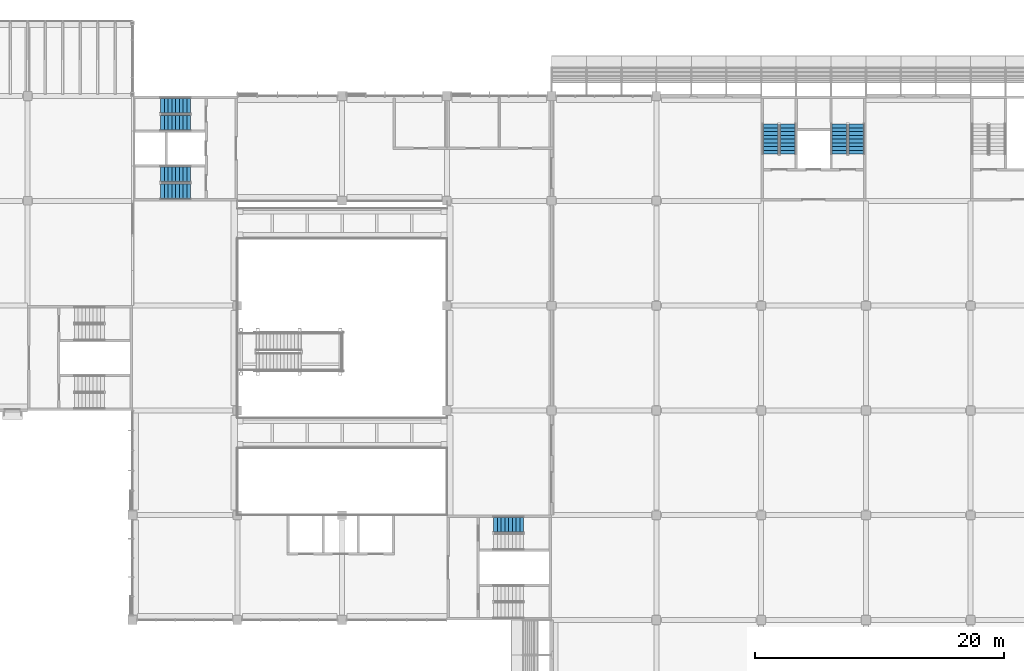
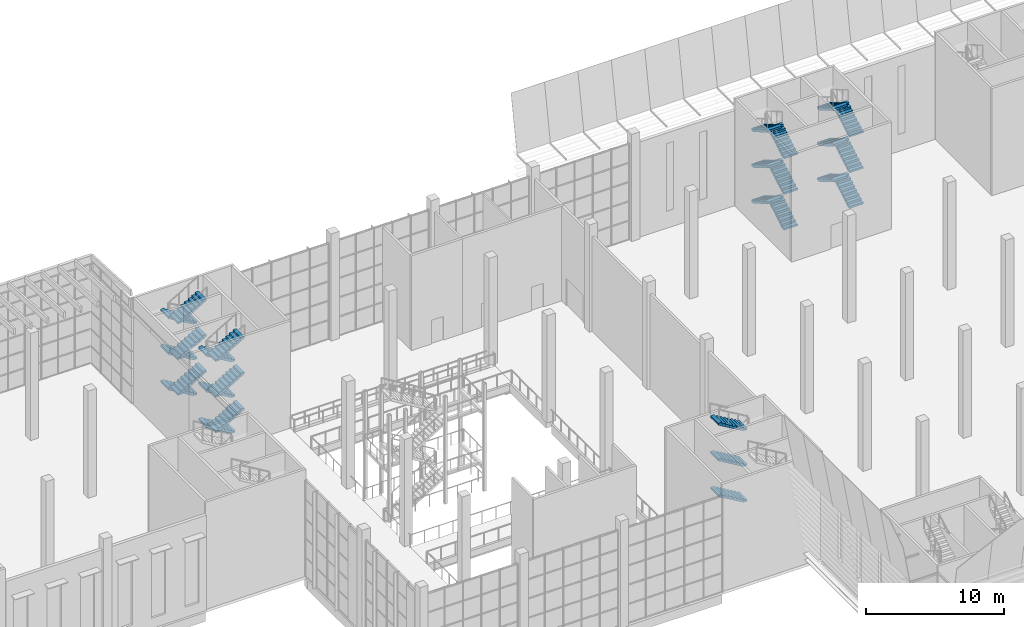
# One storey, part 57 of 114: 27 stair flights, 5 elements without a shape of their own.
"""IFC4 building model written with IfcOpenShell, lengths in metres."""

from ifc_helpers import new_model, si_unit, direction, frame, origin, place, context, subcontext, project, spatial, polyline, outline, extrude, material, type_object, element, aggregate, save


model = new_model("IFC4")

# Units and contexts
model_context = context("Model", 3, precision=1e-05, world=origin(), true_north=direction((0.0, 1.0)))
body_context = subcontext(model_context, "Body", "Model", "MODEL_VIEW")
ifc_project = project(units=[si_unit("LENGTHUNIT", "METRE"), si_unit("AREAUNIT", "SQUARE_METRE"), si_unit("VOLUMEUNIT", "CUBIC_METRE"), si_unit("PLANEANGLEUNIT", "RADIAN"), si_unit("MASSUNIT", "GRAM", prefix="KILO")], contexts=[model_context])

# Site, building, storey
site_placement = place(None, origin())
site = spatial("IfcSite", under=ifc_project, at=site_placement, CompositionType="ELEMENT")
building_placement = place(site_placement, origin())
building = spatial("IfcBuilding", under=site, at=building_placement, Name="Almond Square Museum", CompositionType="ELEMENT")
storey_placement = place(building_placement, frame((0.0, 0.0, 10.5)))
storey = spatial("IfcBuildingStorey", under=building, at=storey_placement, Name="L02", CompositionType="ELEMENT", Elevation=10.5)

# Stair, stair flights
ifc_material_1 = material(Name="Concrete C40/50", Category="concrete")
stair_type = type_object("IfcStairType", Name="Exit stair 54 risers of 176 mm", PredefinedType="HALF_TURN_STAIR", material=ifc_material_1)
stair_1_placement = place(storey_placement, origin())
stair_1 = element("IfcStair", 1, at=stair_1_placement, inside=storey, type_object=stair_type, Name="L02 stair H4-1", PredefinedType="HALF_TURN_STAIR")
ifc_material_2 = material(Name="Concrete C40/50", Category="concrete")
stair_flight_type = type_object("IfcStairFlightType", Name="Concrete flight", PredefinedType="STRAIGHT", material=ifc_material_2)
stair_flight_1_placement = place(storey_placement, frame((125.72509765625, 104.550048828125, 0.0), z_axis=(0.0, 0.0, 1.0), x_axis=(0.0, 1.0, 0.0)))
stair_flight_1 = element("IfcStairFlight", 2, at=stair_flight_1_placement, type_object=stair_flight_type, Name="ST-07 flight 1", NumberOfRisers=9, NumberOfTreads=8, PredefinedType="STRAIGHT", RiserHeight=0.175925926, TreadLength=0.3, context=body_context, shape_type="SweptSolid", body=[
    extrude(outline(polyline([(0.0, 0.0), (0.0, 0.176025390625), (0.300048828125, 0.176025390625), (0.300048828125, 0.351806640625), (0.60009765625, 0.351806640625), (0.60009765625, 0.52783203125), (0.89990234375, 0.52783203125), (0.89990234375, 0.70361328125), (1.199951171875, 0.70361328125), (1.199951171875, 0.879638671875), (1.5, 0.879638671875), (1.5, 1.0556640625), (1.800048828125, 1.0556640625), (1.800048828125, 1.2314453125), (2.10009765625, 1.2314453125), (2.10009765625, 1.407470703125), (2.39990234375, 1.407470703125), (2.39990234375, 1.583251953125), (2.39990234375, 1.233642578125), (0.29638671875, 0.0), (0.0, 0.0)])), frame((0.0, 0.574951171875, 0.0), z_axis=(0.0, -1.0, 0.0), x_axis=(1.0, 0.0, 0.0)), (0.0, 0.0, 1.0), 1.14990234375),
])
stair_flight_2_placement = place(storey_placement, frame((124.375, 106.949951171875, 1.583251953125), z_axis=(0.0, 0.0, 1.0), x_axis=(0.0, -1.0, 0.0)))
stair_flight_2 = element("IfcStairFlight", 3, at=stair_flight_2_placement, type_object=stair_flight_type, Name="ST-07 flight 2", NumberOfRisers=9, NumberOfTreads=8, PredefinedType="STRAIGHT", RiserHeight=0.175925926, TreadLength=0.3, context=body_context, shape_type="SweptSolid", body=[
    extrude(outline(polyline([(0.0, 0.0), (0.0, 0.176025390625), (0.300048828125, 0.176025390625), (0.300048828125, 0.351806640625), (0.60009765625, 0.351806640625), (0.60009765625, 0.52783203125), (0.89990234375, 0.52783203125), (0.89990234375, 0.70361328125), (1.199951171875, 0.70361328125), (1.199951171875, 0.879638671875), (1.5, 0.879638671875), (1.5, 1.0556640625), (1.800048828125, 1.0556640625), (1.800048828125, 1.2314453125), (2.10009765625, 1.2314453125), (2.10009765625, 1.407470703125), (2.39990234375, 1.407470703125), (2.39990234375, 1.583251953125), (2.39990234375, 1.233642578125), (0.29638671875, 0.0), (0.0, 0.0)])), frame((0.0, 0.574951171875, 0.0), z_axis=(0.0, -1.0, 0.0), x_axis=(1.0, 0.0, 0.0)), (0.0, 0.0, 1.0), 1.14990234375),
])
stair_flight_3_placement = place(storey_placement, frame((125.72509765625, 104.550048828125, 3.166748046875), z_axis=(0.0, 0.0, 1.0), x_axis=(0.0, 1.0, 0.0)))
stair_flight_3 = element("IfcStairFlight", 4, at=stair_flight_3_placement, type_object=stair_flight_type, Name="ST-07 flight 3", NumberOfRisers=9, NumberOfTreads=8, PredefinedType="STRAIGHT", RiserHeight=0.175925926, TreadLength=0.3, context=body_context, shape_type="SweptSolid", body=[
    extrude(outline(polyline([(0.0, 0.0), (0.0, 0.176025390625), (0.300048828125, 0.176025390625), (0.300048828125, 0.351806640625), (0.60009765625, 0.351806640625), (0.60009765625, 0.52783203125), (0.89990234375, 0.52783203125), (0.89990234375, 0.70361328125), (1.199951171875, 0.70361328125), (1.199951171875, 0.879638671875), (1.5, 0.879638671875), (1.5, 1.0556640625), (1.800048828125, 1.0556640625), (1.800048828125, 1.2314453125), (2.10009765625, 1.2314453125), (2.10009765625, 1.407470703125), (2.39990234375, 1.407470703125), (2.39990234375, 1.583251953125), (2.39990234375, 1.233642578125), (0.29638671875, 0.0), (0.0, 0.0)])), frame((0.0, 0.574951171875, 0.0), z_axis=(0.0, -1.0, 0.0), x_axis=(1.0, 0.0, 0.0)), (0.0, 0.0, 1.0), 1.14990234375),
])
stair_flight_4_placement = place(storey_placement, frame((124.375, 106.949951171875, 4.75), z_axis=(0.0, 0.0, 1.0), x_axis=(0.0, -1.0, 0.0)))
stair_flight_4 = element("IfcStairFlight", 5, at=stair_flight_4_placement, type_object=stair_flight_type, Name="ST-07 flight 4", NumberOfRisers=9, NumberOfTreads=8, PredefinedType="STRAIGHT", RiserHeight=0.175925926, TreadLength=0.3, context=body_context, shape_type="SweptSolid", body=[
    extrude(outline(polyline([(0.0, 0.0), (0.0, 0.176025390625), (0.300048828125, 0.176025390625), (0.300048828125, 0.351806640625), (0.60009765625, 0.351806640625), (0.60009765625, 0.52783203125), (0.89990234375, 0.52783203125), (0.89990234375, 0.70361328125), (1.199951171875, 0.70361328125), (1.199951171875, 0.879638671875), (1.5, 0.879638671875), (1.5, 1.0556640625), (1.800048828125, 1.0556640625), (1.800048828125, 1.2314453125), (2.10009765625, 1.2314453125), (2.10009765625, 1.407470703125), (2.39990234375, 1.407470703125), (2.39990234375, 1.583251953125), (2.39990234375, 1.233642578125), (0.29638671875, 0.0), (0.0, 0.0)])), frame((0.0, 0.574951171875, 0.0), z_axis=(0.0, -1.0, 0.0), x_axis=(1.0, 0.0, 0.0)), (0.0, 0.0, 1.0), 1.14990234375),
])
stair_flight_5_placement = place(storey_placement, frame((125.72509765625, 104.550048828125, 6.333251953125), z_axis=(0.0, 0.0, 1.0), x_axis=(0.0, 1.0, 0.0)))
stair_flight_5 = element("IfcStairFlight", 6, at=stair_flight_5_placement, type_object=stair_flight_type, Name="ST-07 flight 5", NumberOfRisers=9, NumberOfTreads=8, PredefinedType="STRAIGHT", RiserHeight=0.175925926, TreadLength=0.3, context=body_context, shape_type="SweptSolid", body=[
    extrude(outline(polyline([(0.0, 0.0), (0.0, 0.176025390625), (0.300048828125, 0.176025390625), (0.300048828125, 0.351806640625), (0.60009765625, 0.351806640625), (0.60009765625, 0.52783203125), (0.89990234375, 0.52783203125), (0.89990234375, 0.70361328125), (1.199951171875, 0.70361328125), (1.199951171875, 0.879638671875), (1.5, 0.879638671875), (1.5, 1.0556640625), (1.800048828125, 1.0556640625), (1.800048828125, 1.2314453125), (2.10009765625, 1.2314453125), (2.10009765625, 1.407470703125), (2.39990234375, 1.407470703125), (2.39990234375, 1.583251953125), (2.39990234375, 1.233642578125), (0.29638671875, 0.0), (0.0, 0.0)])), frame((0.0, 0.574951171875, 0.0), z_axis=(0.0, -1.0, 0.0), x_axis=(1.0, 0.0, 0.0)), (0.0, 0.0, 1.0), 1.14990234375),
])
stair_flight_6_placement = place(storey_placement, frame((124.375, 106.949951171875, 7.916748046875), z_axis=(0.0, 0.0, 1.0), x_axis=(0.0, -1.0, 0.0)))
stair_flight_6 = element("IfcStairFlight", 7, at=stair_flight_6_placement, type_object=stair_flight_type, Name="ST-07 flight 6", NumberOfRisers=9, NumberOfTreads=8, PredefinedType="STRAIGHT", RiserHeight=0.175925926, TreadLength=0.3, context=body_context, shape_type="SweptSolid", body=[
    extrude(outline(polyline([(0.0, 0.0), (0.0, 0.176025390625), (0.300048828125, 0.176025390625), (0.300048828125, 0.351806640625), (0.60009765625, 0.351806640625), (0.60009765625, 0.52783203125), (0.89990234375, 0.52783203125), (0.89990234375, 0.70361328125), (1.199951171875, 0.70361328125), (1.199951171875, 0.879638671875), (1.5, 0.879638671875), (1.5, 1.0556640625), (1.800048828125, 1.0556640625), (1.800048828125, 1.2314453125), (2.10009765625, 1.2314453125), (2.10009765625, 1.407470703125), (2.39990234375, 1.407470703125), (2.39990234375, 1.583251953125), (2.39990234375, 1.233642578125), (0.29638671875, 0.0), (0.0, 0.0)])), frame((0.0, 0.574951171875, 0.0), z_axis=(0.0, -1.0, 0.0), x_axis=(1.0, 0.0, 0.0)), (0.0, 0.0, 1.0), 1.14990234375),
])
aggregate(stair_1, [stair_flight_1, stair_flight_2, stair_flight_3, stair_flight_4, stair_flight_5, stair_flight_6])

stair_2_placement = place(storey_placement, origin())
stair_2 = element("IfcStair", 8, at=stair_2_placement, inside=storey, type_object=stair_type, Name="L02 stair H4-2", PredefinedType="HALF_TURN_STAIR")
stair_flight_7_placement = place(storey_placement, frame((131.22509765625, 104.550048828125, 0.0), z_axis=(0.0, 0.0, 1.0), x_axis=(0.0, 1.0, 0.0)))
stair_flight_7 = element("IfcStairFlight", 9, at=stair_flight_7_placement, type_object=stair_flight_type, Name="ST-08 flight 1", NumberOfRisers=9, NumberOfTreads=8, PredefinedType="STRAIGHT", RiserHeight=0.175925926, TreadLength=0.3, context=body_context, shape_type="SweptSolid", body=[
    extrude(outline(polyline([(0.0, 0.0), (0.0, 0.176025390625), (0.300048828125, 0.176025390625), (0.300048828125, 0.351806640625), (0.60009765625, 0.351806640625), (0.60009765625, 0.52783203125), (0.89990234375, 0.52783203125), (0.89990234375, 0.70361328125), (1.199951171875, 0.70361328125), (1.199951171875, 0.879638671875), (1.5, 0.879638671875), (1.5, 1.0556640625), (1.800048828125, 1.0556640625), (1.800048828125, 1.2314453125), (2.10009765625, 1.2314453125), (2.10009765625, 1.407470703125), (2.39990234375, 1.407470703125), (2.39990234375, 1.583251953125), (2.39990234375, 1.233642578125), (0.29638671875, 0.0), (0.0, 0.0)])), frame((0.0, 0.574951171875, 0.0), z_axis=(0.0, -1.0, 0.0), x_axis=(1.0, 0.0, 0.0)), (0.0, 0.0, 1.0), 1.14990234375),
])
stair_flight_8_placement = place(storey_placement, frame((129.875, 106.949951171875, 1.583251953125), z_axis=(0.0, 0.0, 1.0), x_axis=(0.0, -1.0, 0.0)))
stair_flight_8 = element("IfcStairFlight", 10, at=stair_flight_8_placement, type_object=stair_flight_type, Name="ST-08 flight 2", NumberOfRisers=9, NumberOfTreads=8, PredefinedType="STRAIGHT", RiserHeight=0.175925926, TreadLength=0.3, context=body_context, shape_type="SweptSolid", body=[
    extrude(outline(polyline([(0.0, 0.0), (0.0, 0.176025390625), (0.300048828125, 0.176025390625), (0.300048828125, 0.351806640625), (0.60009765625, 0.351806640625), (0.60009765625, 0.52783203125), (0.89990234375, 0.52783203125), (0.89990234375, 0.70361328125), (1.199951171875, 0.70361328125), (1.199951171875, 0.879638671875), (1.5, 0.879638671875), (1.5, 1.0556640625), (1.800048828125, 1.0556640625), (1.800048828125, 1.2314453125), (2.10009765625, 1.2314453125), (2.10009765625, 1.407470703125), (2.39990234375, 1.407470703125), (2.39990234375, 1.583251953125), (2.39990234375, 1.233642578125), (0.29638671875, 0.0), (0.0, 0.0)])), frame((0.0, 0.574951171875, 0.0), z_axis=(0.0, -1.0, 0.0), x_axis=(1.0, 0.0, 0.0)), (0.0, 0.0, 1.0), 1.14990234375),
])
stair_flight_9_placement = place(storey_placement, frame((131.22509765625, 104.550048828125, 3.166748046875), z_axis=(0.0, 0.0, 1.0), x_axis=(0.0, 1.0, 0.0)))
stair_flight_9 = element("IfcStairFlight", 11, at=stair_flight_9_placement, type_object=stair_flight_type, Name="ST-08 flight 3", NumberOfRisers=9, NumberOfTreads=8, PredefinedType="STRAIGHT", RiserHeight=0.175925926, TreadLength=0.3, context=body_context, shape_type="SweptSolid", body=[
    extrude(outline(polyline([(0.0, 0.0), (0.0, 0.176025390625), (0.300048828125, 0.176025390625), (0.300048828125, 0.351806640625), (0.60009765625, 0.351806640625), (0.60009765625, 0.52783203125), (0.89990234375, 0.52783203125), (0.89990234375, 0.70361328125), (1.199951171875, 0.70361328125), (1.199951171875, 0.879638671875), (1.5, 0.879638671875), (1.5, 1.0556640625), (1.800048828125, 1.0556640625), (1.800048828125, 1.2314453125), (2.10009765625, 1.2314453125), (2.10009765625, 1.407470703125), (2.39990234375, 1.407470703125), (2.39990234375, 1.583251953125), (2.39990234375, 1.233642578125), (0.29638671875, 0.0), (0.0, 0.0)])), frame((0.0, 0.574951171875, 0.0), z_axis=(0.0, -1.0, 0.0), x_axis=(1.0, 0.0, 0.0)), (0.0, 0.0, 1.0), 1.14990234375),
])
stair_flight_10_placement = place(storey_placement, frame((129.875, 106.949951171875, 4.75), z_axis=(0.0, 0.0, 1.0), x_axis=(0.0, -1.0, 0.0)))
stair_flight_10 = element("IfcStairFlight", 12, at=stair_flight_10_placement, type_object=stair_flight_type, Name="ST-08 flight 4", NumberOfRisers=9, NumberOfTreads=8, PredefinedType="STRAIGHT", RiserHeight=0.175925926, TreadLength=0.3, context=body_context, shape_type="SweptSolid", body=[
    extrude(outline(polyline([(0.0, 0.0), (0.0, 0.176025390625), (0.300048828125, 0.176025390625), (0.300048828125, 0.351806640625), (0.60009765625, 0.351806640625), (0.60009765625, 0.52783203125), (0.89990234375, 0.52783203125), (0.89990234375, 0.70361328125), (1.199951171875, 0.70361328125), (1.199951171875, 0.879638671875), (1.5, 0.879638671875), (1.5, 1.0556640625), (1.800048828125, 1.0556640625), (1.800048828125, 1.2314453125), (2.10009765625, 1.2314453125), (2.10009765625, 1.407470703125), (2.39990234375, 1.407470703125), (2.39990234375, 1.583251953125), (2.39990234375, 1.233642578125), (0.29638671875, 0.0), (0.0, 0.0)])), frame((0.0, 0.574951171875, 0.0), z_axis=(0.0, -1.0, 0.0), x_axis=(1.0, 0.0, 0.0)), (0.0, 0.0, 1.0), 1.14990234375),
])
stair_flight_11_placement = place(storey_placement, frame((131.22509765625, 104.550048828125, 6.333251953125), z_axis=(0.0, 0.0, 1.0), x_axis=(0.0, 1.0, 0.0)))
stair_flight_11 = element("IfcStairFlight", 13, at=stair_flight_11_placement, type_object=stair_flight_type, Name="ST-08 flight 5", NumberOfRisers=9, NumberOfTreads=8, PredefinedType="STRAIGHT", RiserHeight=0.175925926, TreadLength=0.3, context=body_context, shape_type="SweptSolid", body=[
    extrude(outline(polyline([(0.0, 0.0), (0.0, 0.176025390625), (0.300048828125, 0.176025390625), (0.300048828125, 0.351806640625), (0.60009765625, 0.351806640625), (0.60009765625, 0.52783203125), (0.89990234375, 0.52783203125), (0.89990234375, 0.70361328125), (1.199951171875, 0.70361328125), (1.199951171875, 0.879638671875), (1.5, 0.879638671875), (1.5, 1.0556640625), (1.800048828125, 1.0556640625), (1.800048828125, 1.2314453125), (2.10009765625, 1.2314453125), (2.10009765625, 1.407470703125), (2.39990234375, 1.407470703125), (2.39990234375, 1.583251953125), (2.39990234375, 1.233642578125), (0.29638671875, 0.0), (0.0, 0.0)])), frame((0.0, 0.574951171875, 0.0), z_axis=(0.0, -1.0, 0.0), x_axis=(1.0, 0.0, 0.0)), (0.0, 0.0, 1.0), 1.14990234375),
])
stair_flight_12_placement = place(storey_placement, frame((129.875, 106.949951171875, 7.916748046875), z_axis=(0.0, 0.0, 1.0), x_axis=(0.0, -1.0, 0.0)))
stair_flight_12 = element("IfcStairFlight", 14, at=stair_flight_12_placement, type_object=stair_flight_type, Name="ST-08 flight 6", NumberOfRisers=9, NumberOfTreads=8, PredefinedType="STRAIGHT", RiserHeight=0.175925926, TreadLength=0.3, context=body_context, shape_type="SweptSolid", body=[
    extrude(outline(polyline([(0.0, 0.0), (0.0, 0.176025390625), (0.300048828125, 0.176025390625), (0.300048828125, 0.351806640625), (0.60009765625, 0.351806640625), (0.60009765625, 0.52783203125), (0.89990234375, 0.52783203125), (0.89990234375, 0.70361328125), (1.199951171875, 0.70361328125), (1.199951171875, 0.879638671875), (1.5, 0.879638671875), (1.5, 1.0556640625), (1.800048828125, 1.0556640625), (1.800048828125, 1.2314453125), (2.10009765625, 1.2314453125), (2.10009765625, 1.407470703125), (2.39990234375, 1.407470703125), (2.39990234375, 1.583251953125), (2.39990234375, 1.233642578125), (0.29638671875, 0.0), (0.0, 0.0)])), frame((0.0, 0.574951171875, 0.0), z_axis=(0.0, -1.0, 0.0), x_axis=(1.0, 0.0, 0.0)), (0.0, 0.0, 1.0), 1.14990234375),
])
aggregate(stair_2, [stair_flight_7, stair_flight_8, stair_flight_9, stair_flight_10, stair_flight_11, stair_flight_12])

stair_3_placement = place(storey_placement, origin())
stair_3 = element("IfcStair", 15, at=stair_3_placement, inside=storey, type_object=stair_type, Name="L02 stair A1-1", PredefinedType="HALF_TURN_STAIR")
stair_flight_13_placement = place(storey_placement, frame((77.85009765625, 102.925048828125, 0.0), z_axis=(0.0, 0.0, 1.0), x_axis=(-1.0, 0.0, 0.0)))
stair_flight_13 = element("IfcStairFlight", 16, at=stair_flight_13_placement, type_object=stair_flight_type, Name="ST-09 flight 1", NumberOfRisers=9, NumberOfTreads=8, PredefinedType="STRAIGHT", RiserHeight=0.175925926, TreadLength=0.3, context=body_context, shape_type="SweptSolid", body=[
    extrude(outline(polyline([(0.0, 0.0), (0.0, 0.176025390625), (0.300048828125, 0.176025390625), (0.300048828125, 0.351806640625), (0.60009765625, 0.351806640625), (0.60009765625, 0.52783203125), (0.89990234375, 0.52783203125), (0.89990234375, 0.70361328125), (1.199951171875, 0.70361328125), (1.199951171875, 0.879638671875), (1.5, 0.879638671875), (1.5, 1.0556640625), (1.800048828125, 1.0556640625), (1.800048828125, 1.2314453125), (2.10009765625, 1.2314453125), (2.10009765625, 1.407470703125), (2.39990234375, 1.407470703125), (2.39990234375, 1.583251953125), (2.39990234375, 1.233642578125), (0.29638671875, 0.0), (0.0, 0.0)])), frame((0.0, 0.574951171875, 0.0), z_axis=(0.0, -1.0, 0.0), x_axis=(1.0, 0.0, 0.0)), (0.0, 0.0, 1.0), 1.14990234375),
])
stair_flight_14_placement = place(storey_placement, frame((75.449951171875, 101.574951171875, 1.583251953125), z_axis=(0.0, 0.0, 1.0), x_axis=(1.0, 0.0, 0.0)))
stair_flight_14 = element("IfcStairFlight", 17, at=stair_flight_14_placement, type_object=stair_flight_type, Name="ST-09 flight 2", NumberOfRisers=9, NumberOfTreads=8, PredefinedType="STRAIGHT", RiserHeight=0.175925926, TreadLength=0.3, context=body_context, shape_type="SweptSolid", body=[
    extrude(outline(polyline([(0.0, 0.0), (0.0, 0.176025390625), (0.300048828125, 0.176025390625), (0.300048828125, 0.351806640625), (0.60009765625, 0.351806640625), (0.60009765625, 0.52783203125), (0.89990234375, 0.52783203125), (0.89990234375, 0.70361328125), (1.199951171875, 0.70361328125), (1.199951171875, 0.879638671875), (1.5, 0.879638671875), (1.5, 1.0556640625), (1.800048828125, 1.0556640625), (1.800048828125, 1.2314453125), (2.10009765625, 1.2314453125), (2.10009765625, 1.407470703125), (2.39990234375, 1.407470703125), (2.39990234375, 1.583251953125), (2.39990234375, 1.233642578125), (0.29638671875, 0.0), (0.0, 0.0)])), frame((0.0, 0.574951171875, 0.0), z_axis=(0.0, -1.0, 0.0), x_axis=(1.0, 0.0, 0.0)), (0.0, 0.0, 1.0), 1.14990234375),
])
stair_flight_15_placement = place(storey_placement, frame((77.85009765625, 102.925048828125, 3.166748046875), z_axis=(0.0, 0.0, 1.0), x_axis=(-1.0, 0.0, 0.0)))
stair_flight_15 = element("IfcStairFlight", 18, at=stair_flight_15_placement, type_object=stair_flight_type, Name="ST-09 flight 3", NumberOfRisers=9, NumberOfTreads=8, PredefinedType="STRAIGHT", RiserHeight=0.175925926, TreadLength=0.3, context=body_context, shape_type="SweptSolid", body=[
    extrude(outline(polyline([(0.0, 0.0), (0.0, 0.176025390625), (0.300048828125, 0.176025390625), (0.300048828125, 0.351806640625), (0.60009765625, 0.351806640625), (0.60009765625, 0.52783203125), (0.89990234375, 0.52783203125), (0.89990234375, 0.70361328125), (1.199951171875, 0.70361328125), (1.199951171875, 0.879638671875), (1.5, 0.879638671875), (1.5, 1.0556640625), (1.800048828125, 1.0556640625), (1.800048828125, 1.2314453125), (2.10009765625, 1.2314453125), (2.10009765625, 1.407470703125), (2.39990234375, 1.407470703125), (2.39990234375, 1.583251953125), (2.39990234375, 1.233642578125), (0.29638671875, 0.0), (0.0, 0.0)])), frame((0.0, 0.574951171875, 0.0), z_axis=(0.0, -1.0, 0.0), x_axis=(1.0, 0.0, 0.0)), (0.0, 0.0, 1.0), 1.14990234375),
])
stair_flight_16_placement = place(storey_placement, frame((75.449951171875, 101.574951171875, 4.75), z_axis=(0.0, 0.0, 1.0), x_axis=(1.0, 0.0, 0.0)))
stair_flight_16 = element("IfcStairFlight", 19, at=stair_flight_16_placement, type_object=stair_flight_type, Name="ST-09 flight 4", NumberOfRisers=9, NumberOfTreads=8, PredefinedType="STRAIGHT", RiserHeight=0.175925926, TreadLength=0.3, context=body_context, shape_type="SweptSolid", body=[
    extrude(outline(polyline([(0.0, 0.0), (0.0, 0.176025390625), (0.300048828125, 0.176025390625), (0.300048828125, 0.351806640625), (0.60009765625, 0.351806640625), (0.60009765625, 0.52783203125), (0.89990234375, 0.52783203125), (0.89990234375, 0.70361328125), (1.199951171875, 0.70361328125), (1.199951171875, 0.879638671875), (1.5, 0.879638671875), (1.5, 1.0556640625), (1.800048828125, 1.0556640625), (1.800048828125, 1.2314453125), (2.10009765625, 1.2314453125), (2.10009765625, 1.407470703125), (2.39990234375, 1.407470703125), (2.39990234375, 1.583251953125), (2.39990234375, 1.233642578125), (0.29638671875, 0.0), (0.0, 0.0)])), frame((0.0, 0.574951171875, 0.0), z_axis=(0.0, -1.0, 0.0), x_axis=(1.0, 0.0, 0.0)), (0.0, 0.0, 1.0), 1.14990234375),
])
stair_flight_17_placement = place(storey_placement, frame((77.85009765625, 102.925048828125, 6.333251953125), z_axis=(0.0, 0.0, 1.0), x_axis=(-1.0, 0.0, 0.0)))
stair_flight_17 = element("IfcStairFlight", 20, at=stair_flight_17_placement, type_object=stair_flight_type, Name="ST-09 flight 5", NumberOfRisers=9, NumberOfTreads=8, PredefinedType="STRAIGHT", RiserHeight=0.175925926, TreadLength=0.3, context=body_context, shape_type="SweptSolid", body=[
    extrude(outline(polyline([(0.0, 0.0), (0.0, 0.176025390625), (0.300048828125, 0.176025390625), (0.300048828125, 0.351806640625), (0.60009765625, 0.351806640625), (0.60009765625, 0.52783203125), (0.89990234375, 0.52783203125), (0.89990234375, 0.70361328125), (1.199951171875, 0.70361328125), (1.199951171875, 0.879638671875), (1.5, 0.879638671875), (1.5, 1.0556640625), (1.800048828125, 1.0556640625), (1.800048828125, 1.2314453125), (2.10009765625, 1.2314453125), (2.10009765625, 1.407470703125), (2.39990234375, 1.407470703125), (2.39990234375, 1.583251953125), (2.39990234375, 1.233642578125), (0.29638671875, 0.0), (0.0, 0.0)])), frame((0.0, 0.574951171875, 0.0), z_axis=(0.0, -1.0, 0.0), x_axis=(1.0, 0.0, 0.0)), (0.0, 0.0, 1.0), 1.14990234375),
])
stair_flight_18_placement = place(storey_placement, frame((75.449951171875, 101.574951171875, 7.916748046875), z_axis=(0.0, 0.0, 1.0), x_axis=(1.0, 0.0, 0.0)))
stair_flight_18 = element("IfcStairFlight", 21, at=stair_flight_18_placement, type_object=stair_flight_type, Name="ST-09 flight 6", NumberOfRisers=9, NumberOfTreads=8, PredefinedType="STRAIGHT", RiserHeight=0.175925926, TreadLength=0.3, context=body_context, shape_type="SweptSolid", body=[
    extrude(outline(polyline([(0.0, 0.0), (0.0, 0.176025390625), (0.300048828125, 0.176025390625), (0.300048828125, 0.351806640625), (0.60009765625, 0.351806640625), (0.60009765625, 0.52783203125), (0.89990234375, 0.52783203125), (0.89990234375, 0.70361328125), (1.199951171875, 0.70361328125), (1.199951171875, 0.879638671875), (1.5, 0.879638671875), (1.5, 1.0556640625), (1.800048828125, 1.0556640625), (1.800048828125, 1.2314453125), (2.10009765625, 1.2314453125), (2.10009765625, 1.407470703125), (2.39990234375, 1.407470703125), (2.39990234375, 1.583251953125), (2.39990234375, 1.233642578125), (0.29638671875, 0.0), (0.0, 0.0)])), frame((0.0, 0.574951171875, 0.0), z_axis=(0.0, -1.0, 0.0), x_axis=(1.0, 0.0, 0.0)), (0.0, 0.0, 1.0), 1.14990234375),
])
aggregate(stair_3, [stair_flight_13, stair_flight_14, stair_flight_15, stair_flight_16, stair_flight_17, stair_flight_18])

stair_4_placement = place(storey_placement, origin())
stair_4 = element("IfcStair", 22, at=stair_4_placement, inside=storey, type_object=stair_type, Name="L02 stair A1-2", PredefinedType="HALF_TURN_STAIR")
stair_flight_19_placement = place(storey_placement, frame((77.85009765625, 108.425048828125, 0.0), z_axis=(0.0, 0.0, 1.0), x_axis=(-1.0, 0.0, 0.0)))
stair_flight_19 = element("IfcStairFlight", 23, at=stair_flight_19_placement, type_object=stair_flight_type, Name="ST-10 flight 1", NumberOfRisers=9, NumberOfTreads=8, PredefinedType="STRAIGHT", RiserHeight=0.175925926, TreadLength=0.3, context=body_context, shape_type="SweptSolid", body=[
    extrude(outline(polyline([(0.0, 0.0), (0.0, 0.176025390625), (0.300048828125, 0.176025390625), (0.300048828125, 0.351806640625), (0.60009765625, 0.351806640625), (0.60009765625, 0.52783203125), (0.89990234375, 0.52783203125), (0.89990234375, 0.70361328125), (1.199951171875, 0.70361328125), (1.199951171875, 0.879638671875), (1.5, 0.879638671875), (1.5, 1.0556640625), (1.800048828125, 1.0556640625), (1.800048828125, 1.2314453125), (2.10009765625, 1.2314453125), (2.10009765625, 1.407470703125), (2.39990234375, 1.407470703125), (2.39990234375, 1.583251953125), (2.39990234375, 1.233642578125), (0.29638671875, 0.0), (0.0, 0.0)])), frame((0.0, 0.574951171875, 0.0), z_axis=(0.0, -1.0, 0.0), x_axis=(1.0, 0.0, 0.0)), (0.0, 0.0, 1.0), 1.14990234375),
])
stair_flight_20_placement = place(storey_placement, frame((75.449951171875, 107.074951171875, 1.583251953125), z_axis=(0.0, 0.0, 1.0), x_axis=(1.0, 0.0, 0.0)))
stair_flight_20 = element("IfcStairFlight", 24, at=stair_flight_20_placement, type_object=stair_flight_type, Name="ST-10 flight 2", NumberOfRisers=9, NumberOfTreads=8, PredefinedType="STRAIGHT", RiserHeight=0.175925926, TreadLength=0.3, context=body_context, shape_type="SweptSolid", body=[
    extrude(outline(polyline([(0.0, 0.0), (0.0, 0.176025390625), (0.300048828125, 0.176025390625), (0.300048828125, 0.351806640625), (0.60009765625, 0.351806640625), (0.60009765625, 0.52783203125), (0.89990234375, 0.52783203125), (0.89990234375, 0.70361328125), (1.199951171875, 0.70361328125), (1.199951171875, 0.879638671875), (1.5, 0.879638671875), (1.5, 1.0556640625), (1.800048828125, 1.0556640625), (1.800048828125, 1.2314453125), (2.10009765625, 1.2314453125), (2.10009765625, 1.407470703125), (2.39990234375, 1.407470703125), (2.39990234375, 1.583251953125), (2.39990234375, 1.233642578125), (0.29638671875, 0.0), (0.0, 0.0)])), frame((0.0, 0.574951171875, 0.0), z_axis=(0.0, -1.0, 0.0), x_axis=(1.0, 0.0, 0.0)), (0.0, 0.0, 1.0), 1.14990234375),
])
stair_flight_21_placement = place(storey_placement, frame((77.85009765625, 108.425048828125, 3.166748046875), z_axis=(0.0, 0.0, 1.0), x_axis=(-1.0, 0.0, 0.0)))
stair_flight_21 = element("IfcStairFlight", 25, at=stair_flight_21_placement, type_object=stair_flight_type, Name="ST-10 flight 3", NumberOfRisers=9, NumberOfTreads=8, PredefinedType="STRAIGHT", RiserHeight=0.175925926, TreadLength=0.3, context=body_context, shape_type="SweptSolid", body=[
    extrude(outline(polyline([(0.0, 0.0), (0.0, 0.176025390625), (0.300048828125, 0.176025390625), (0.300048828125, 0.351806640625), (0.60009765625, 0.351806640625), (0.60009765625, 0.52783203125), (0.89990234375, 0.52783203125), (0.89990234375, 0.70361328125), (1.199951171875, 0.70361328125), (1.199951171875, 0.879638671875), (1.5, 0.879638671875), (1.5, 1.0556640625), (1.800048828125, 1.0556640625), (1.800048828125, 1.2314453125), (2.10009765625, 1.2314453125), (2.10009765625, 1.407470703125), (2.39990234375, 1.407470703125), (2.39990234375, 1.583251953125), (2.39990234375, 1.233642578125), (0.29638671875, 0.0), (0.0, 0.0)])), frame((0.0, 0.574951171875, 0.0), z_axis=(0.0, -1.0, 0.0), x_axis=(1.0, 0.0, 0.0)), (0.0, 0.0, 1.0), 1.14990234375),
])
stair_flight_22_placement = place(storey_placement, frame((75.449951171875, 107.074951171875, 4.75), z_axis=(0.0, 0.0, 1.0), x_axis=(1.0, 0.0, 0.0)))
stair_flight_22 = element("IfcStairFlight", 26, at=stair_flight_22_placement, type_object=stair_flight_type, Name="ST-10 flight 4", NumberOfRisers=9, NumberOfTreads=8, PredefinedType="STRAIGHT", RiserHeight=0.175925926, TreadLength=0.3, context=body_context, shape_type="SweptSolid", body=[
    extrude(outline(polyline([(0.0, 0.0), (0.0, 0.176025390625), (0.300048828125, 0.176025390625), (0.300048828125, 0.351806640625), (0.60009765625, 0.351806640625), (0.60009765625, 0.52783203125), (0.89990234375, 0.52783203125), (0.89990234375, 0.70361328125), (1.199951171875, 0.70361328125), (1.199951171875, 0.879638671875), (1.5, 0.879638671875), (1.5, 1.0556640625), (1.800048828125, 1.0556640625), (1.800048828125, 1.2314453125), (2.10009765625, 1.2314453125), (2.10009765625, 1.407470703125), (2.39990234375, 1.407470703125), (2.39990234375, 1.583251953125), (2.39990234375, 1.233642578125), (0.29638671875, 0.0), (0.0, 0.0)])), frame((0.0, 0.574951171875, 0.0), z_axis=(0.0, -1.0, 0.0), x_axis=(1.0, 0.0, 0.0)), (0.0, 0.0, 1.0), 1.14990234375),
])
stair_flight_23_placement = place(storey_placement, frame((77.85009765625, 108.425048828125, 6.333251953125), z_axis=(0.0, 0.0, 1.0), x_axis=(-1.0, 0.0, 0.0)))
stair_flight_23 = element("IfcStairFlight", 27, at=stair_flight_23_placement, type_object=stair_flight_type, Name="ST-10 flight 5", NumberOfRisers=9, NumberOfTreads=8, PredefinedType="STRAIGHT", RiserHeight=0.175925926, TreadLength=0.3, context=body_context, shape_type="SweptSolid", body=[
    extrude(outline(polyline([(0.0, 0.0), (0.0, 0.176025390625), (0.300048828125, 0.176025390625), (0.300048828125, 0.351806640625), (0.60009765625, 0.351806640625), (0.60009765625, 0.52783203125), (0.89990234375, 0.52783203125), (0.89990234375, 0.70361328125), (1.199951171875, 0.70361328125), (1.199951171875, 0.879638671875), (1.5, 0.879638671875), (1.5, 1.0556640625), (1.800048828125, 1.0556640625), (1.800048828125, 1.2314453125), (2.10009765625, 1.2314453125), (2.10009765625, 1.407470703125), (2.39990234375, 1.407470703125), (2.39990234375, 1.583251953125), (2.39990234375, 1.233642578125), (0.29638671875, 0.0), (0.0, 0.0)])), frame((0.0, 0.574951171875, 0.0), z_axis=(0.0, -1.0, 0.0), x_axis=(1.0, 0.0, 0.0)), (0.0, 0.0, 1.0), 1.14990234375),
])
stair_flight_24_placement = place(storey_placement, frame((75.449951171875, 107.074951171875, 7.916748046875), z_axis=(0.0, 0.0, 1.0), x_axis=(1.0, 0.0, 0.0)))
stair_flight_24 = element("IfcStairFlight", 28, at=stair_flight_24_placement, type_object=stair_flight_type, Name="ST-10 flight 6", NumberOfRisers=9, NumberOfTreads=8, PredefinedType="STRAIGHT", RiserHeight=0.175925926, TreadLength=0.3, context=body_context, shape_type="SweptSolid", body=[
    extrude(outline(polyline([(0.0, 0.0), (0.0, 0.176025390625), (0.300048828125, 0.176025390625), (0.300048828125, 0.351806640625), (0.60009765625, 0.351806640625), (0.60009765625, 0.52783203125), (0.89990234375, 0.52783203125), (0.89990234375, 0.70361328125), (1.199951171875, 0.70361328125), (1.199951171875, 0.879638671875), (1.5, 0.879638671875), (1.5, 1.0556640625), (1.800048828125, 1.0556640625), (1.800048828125, 1.2314453125), (2.10009765625, 1.2314453125), (2.10009765625, 1.407470703125), (2.39990234375, 1.407470703125), (2.39990234375, 1.583251953125), (2.39990234375, 1.233642578125), (0.29638671875, 0.0), (0.0, 0.0)])), frame((0.0, 0.574951171875, 0.0), z_axis=(0.0, -1.0, 0.0), x_axis=(1.0, 0.0, 0.0)), (0.0, 0.0, 1.0), 1.14990234375),
])
aggregate(stair_4, [stair_flight_19, stair_flight_20, stair_flight_21, stair_flight_22, stair_flight_23, stair_flight_24])

stair_5_placement = place(storey_placement, origin())
stair_5 = element("IfcStair", 29, at=stair_5_placement, inside=storey, type_object=stair_type, Name="L02 stair A2-2", PredefinedType="HALF_TURN_STAIR")
stair_flight_25_placement = place(storey_placement, frame((104.550048828125, 74.824951171875, 1.583251953125), z_axis=(0.0, 0.0, 1.0), x_axis=(-1.0, 0.0, 0.0)))
stair_flight_25 = element("IfcStairFlight", 30, at=stair_flight_25_placement, type_object=stair_flight_type, Name="ST-12 flight 2", NumberOfRisers=9, NumberOfTreads=8, PredefinedType="STRAIGHT", RiserHeight=0.175925926, TreadLength=0.3, context=body_context, shape_type="SweptSolid", body=[
    extrude(outline(polyline([(0.0, 0.0), (0.0, 0.176025390625), (0.300048828125, 0.176025390625), (0.300048828125, 0.351806640625), (0.60009765625, 0.351806640625), (0.60009765625, 0.52783203125), (0.89990234375, 0.52783203125), (0.89990234375, 0.70361328125), (1.199951171875, 0.70361328125), (1.199951171875, 0.879638671875), (1.5, 0.879638671875), (1.5, 1.0556640625), (1.800048828125, 1.0556640625), (1.800048828125, 1.2314453125), (2.10009765625, 1.2314453125), (2.10009765625, 1.407470703125), (2.39990234375, 1.407470703125), (2.39990234375, 1.583251953125), (2.39990234375, 1.233642578125), (0.29638671875, 0.0), (0.0, 0.0)])), frame((0.0, 0.574951171875, 0.0), z_axis=(0.0, -1.0, 0.0), x_axis=(1.0, 0.0, 0.0)), (0.0, 0.0, 1.0), 1.14990234375),
])
stair_flight_26_placement = place(storey_placement, frame((104.550048828125, 74.824951171875, 4.75), z_axis=(0.0, 0.0, 1.0), x_axis=(-1.0, 0.0, 0.0)))
stair_flight_26 = element("IfcStairFlight", 31, at=stair_flight_26_placement, type_object=stair_flight_type, Name="ST-12 flight 4", NumberOfRisers=9, NumberOfTreads=8, PredefinedType="STRAIGHT", RiserHeight=0.175925926, TreadLength=0.3, context=body_context, shape_type="SweptSolid", body=[
    extrude(outline(polyline([(0.0, 0.0), (0.0, 0.176025390625), (0.300048828125, 0.176025390625), (0.300048828125, 0.351806640625), (0.60009765625, 0.351806640625), (0.60009765625, 0.52783203125), (0.89990234375, 0.52783203125), (0.89990234375, 0.70361328125), (1.199951171875, 0.70361328125), (1.199951171875, 0.879638671875), (1.5, 0.879638671875), (1.5, 1.0556640625), (1.800048828125, 1.0556640625), (1.800048828125, 1.2314453125), (2.10009765625, 1.2314453125), (2.10009765625, 1.407470703125), (2.39990234375, 1.407470703125), (2.39990234375, 1.583251953125), (2.39990234375, 1.233642578125), (0.29638671875, 0.0), (0.0, 0.0)])), frame((0.0, 0.574951171875, 0.0), z_axis=(0.0, -1.0, 0.0), x_axis=(1.0, 0.0, 0.0)), (0.0, 0.0, 1.0), 1.14990234375),
])
stair_flight_27_placement = place(storey_placement, frame((104.550048828125, 74.824951171875, 7.916748046875), z_axis=(0.0, 0.0, 1.0), x_axis=(-1.0, 0.0, 0.0)))
stair_flight_27 = element("IfcStairFlight", 32, at=stair_flight_27_placement, type_object=stair_flight_type, Name="ST-12 flight 6", NumberOfRisers=9, NumberOfTreads=8, PredefinedType="STRAIGHT", RiserHeight=0.175925926, TreadLength=0.3, context=body_context, shape_type="SweptSolid", body=[
    extrude(outline(polyline([(0.0, 0.0), (0.0, 0.176025390625), (0.300048828125, 0.176025390625), (0.300048828125, 0.351806640625), (0.60009765625, 0.351806640625), (0.60009765625, 0.52783203125), (0.89990234375, 0.52783203125), (0.89990234375, 0.70361328125), (1.199951171875, 0.70361328125), (1.199951171875, 0.879638671875), (1.5, 0.879638671875), (1.5, 1.0556640625), (1.800048828125, 1.0556640625), (1.800048828125, 1.2314453125), (2.10009765625, 1.2314453125), (2.10009765625, 1.407470703125), (2.39990234375, 1.407470703125), (2.39990234375, 1.583251953125), (2.39990234375, 1.233642578125), (0.29638671875, 0.0), (0.0, 0.0)])), frame((0.0, 0.574951171875, 0.0), z_axis=(0.0, -1.0, 0.0), x_axis=(1.0, 0.0, 0.0)), (0.0, 0.0, 1.0), 1.14990234375),
])
aggregate(stair_5, [stair_flight_25, stair_flight_26, stair_flight_27])

save(model, "model.ifc")
